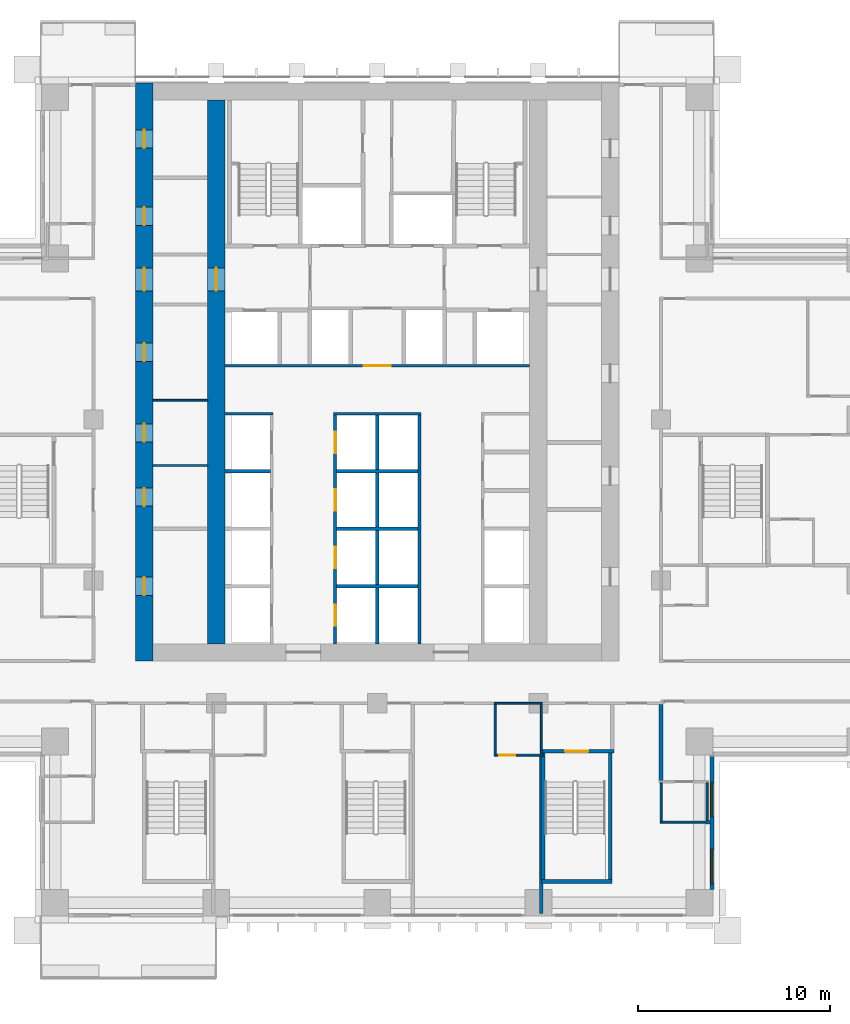
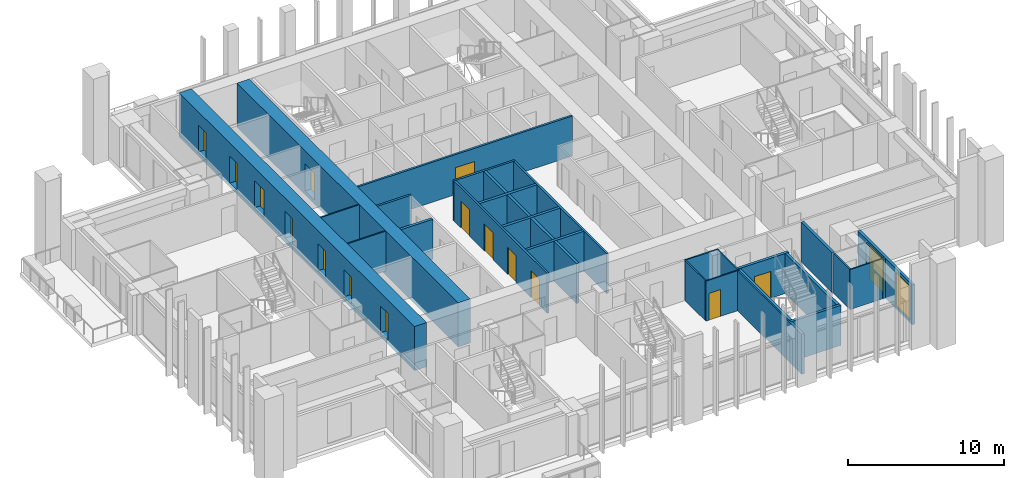
# One storey, part 8 of 17: 29 walls, 15 doors, 2 windows, 17 openings.
"""IFC4 building model written with IfcOpenShell, lengths in metres."""

from ifc_helpers import new_model, si_unit, direction, frame, frame_2d, origin, place, context, subcontext, project, spatial, rectangle, extrude, material, layer, layer_set, type_object, element, fill, save


model = new_model("IFC4")

# Units and contexts
model_context = context("Model", 3, precision=1e-05, world=origin(), true_north=direction((0.0, 1.0)))
body_context = subcontext(model_context, "Body", "Model", "MODEL_VIEW")
ifc_project = project(units=[si_unit("LENGTHUNIT", "METRE"), si_unit("AREAUNIT", "SQUARE_METRE"), si_unit("VOLUMEUNIT", "CUBIC_METRE"), si_unit("PLANEANGLEUNIT", "RADIAN"), si_unit("MASSUNIT", "GRAM", prefix="KILO")], contexts=[model_context])

# Site, building, storey
site_placement = place(None, origin())
site = spatial("IfcSite", under=ifc_project, at=site_placement, CompositionType="ELEMENT")
building_placement = place(site_placement, origin())
building = spatial("IfcBuilding", under=site, at=building_placement, Name="Vermilion Ogive Tower", CompositionType="ELEMENT")
storey_placement = place(building_placement, frame((0.0, 0.0, 69.0)))
storey = spatial("IfcBuildingStorey", under=building, at=storey_placement, Name="L16", CompositionType="ELEMENT", Elevation=69.0)

# Wall, openings, doors
ifc_material_1 = material(Name="Concrete B80", Category="concrete")
ifc_layer_1 = layer(ifc_material_1, 0.89990234375)
ifc_layer_set_1 = layer_set([ifc_layer_1], Name="Core wall 900 B80")
wall_type_1 = type_object("IfcWallType", Name="Core wall 900 B80", PredefinedType="SHEAR", material=ifc_layer_set_1)
wall_1_placement = place(storey_placement, frame((-12.14990234375, -8.39990234375, -0.320068359375), z_axis=(0.0, 0.0, 1.0), x_axis=(0.0, 1.0, 0.0)))
wall_1 = element("IfcWall", 1, at=wall_1_placement, inside=storey, type_object=wall_type_1, Name="L16-CORE-W", PredefinedType="SHEAR", context=body_context, shape_type="SweptSolid", body=[
    extrude(rectangle(XDim=30.14990234375, YDim=0.89990234375, at=frame_2d((15.074951171875, 0.0))), origin(), (0.0, 0.0, 1.0), 3.449951171875),
])
opening_1_placement = place(wall_1_placement, frame((3.425048828125, 0.0, 0.320068359375)))
opening_1 = element("IfcOpeningElement", 2, at=opening_1_placement, cuts=wall_1, Name="Opening DAD028", PredefinedType="OPENING", context=body_context, shape_type="SweptSolid", body=[
    extrude(rectangle(XDim=0.949951171875, YDim=2.10009765625, at=frame_2d((0.47509765625, 1.050048828125))), frame((0.0, 0.4599609375, 0.0), z_axis=(0.0, -1.0, 0.0), x_axis=(1.0, 0.0, 0.0)), (0.0, 0.0, 1.0), 0.919921875),
])
opening_2_placement = place(wall_1_placement, frame((8.074951171875, 0.0, 0.320068359375)))
opening_2 = element("IfcOpeningElement", 3, at=opening_2_placement, cuts=wall_1, Name="Opening DAD029", PredefinedType="OPENING", context=body_context, shape_type="SweptSolid", body=[
    extrude(rectangle(XDim=0.949951171875, YDim=2.10009765625, at=frame_2d((0.47509765625, 1.050048828125))), frame((0.0, 0.4599609375, 0.0), z_axis=(0.0, -1.0, 0.0), x_axis=(1.0, 0.0, 0.0)), (0.0, 0.0, 1.0), 0.919921875),
])
opening_3_placement = place(wall_1_placement, frame((11.425048828125, 0.0, 0.320068359375)))
opening_3 = element("IfcOpeningElement", 4, at=opening_3_placement, cuts=wall_1, Name="Opening DAD030", PredefinedType="OPENING", context=body_context, shape_type="SweptSolid", body=[
    extrude(rectangle(XDim=0.949951171875, YDim=2.10009765625, at=frame_2d((0.47509765625, 1.050048828125))), frame((0.0, 0.4599609375, 0.0), z_axis=(0.0, -1.0, 0.0), x_axis=(1.0, 0.0, 0.0)), (0.0, 0.0, 1.0), 0.919921875),
])
opening_4_placement = place(wall_1_placement, frame((15.625, 0.0, 0.320068359375)))
opening_4 = element("IfcOpeningElement", 5, at=opening_4_placement, cuts=wall_1, Name="Opening DAD031", PredefinedType="OPENING", context=body_context, shape_type="SweptSolid", body=[
    extrude(rectangle(XDim=0.949951171875, YDim=2.10009765625, at=frame_2d((0.47509765625, 1.050048828125))), frame((0.0, 0.4599609375, 0.0), z_axis=(0.0, -1.0, 0.0), x_axis=(1.0, 0.0, 0.0)), (0.0, 0.0, 1.0), 0.919921875),
])
opening_5_placement = place(wall_1_placement, frame((22.72509765625, 0.0, 0.320068359375)))
opening_5 = element("IfcOpeningElement", 6, at=opening_5_placement, cuts=wall_1, Name="Opening DAD032", PredefinedType="OPENING", context=body_context, shape_type="SweptSolid", body=[
    extrude(rectangle(XDim=0.949951171875, YDim=2.10009765625, at=frame_2d((0.47509765625, 1.050048828125))), frame((0.0, 0.4599609375, 0.0), z_axis=(0.0, -1.0, 0.0), x_axis=(1.0, 0.0, 0.0)), (0.0, 0.0, 1.0), 0.919921875),
])
opening_6_placement = place(wall_1_placement, frame((26.75, 0.0, 0.320068359375)))
opening_6 = element("IfcOpeningElement", 7, at=opening_6_placement, cuts=wall_1, Name="Opening DAD033", PredefinedType="OPENING", context=body_context, shape_type="SweptSolid", body=[
    extrude(rectangle(XDim=0.949951171875, YDim=2.10009765625, at=frame_2d((0.47509765625, 1.050048828125))), frame((0.0, 0.4599609375, 0.0), z_axis=(0.0, -1.0, 0.0), x_axis=(1.0, 0.0, 0.0)), (0.0, 0.0, 1.0), 0.919921875),
])
opening_7_placement = place(wall_1_placement, frame((19.300048828125, 0.0, 0.320068359375)))
opening_7 = element("IfcOpeningElement", 8, at=opening_7_placement, cuts=wall_1, Name="Opening DAM006", PredefinedType="OPENING", context=body_context, shape_type="SweptSolid", body=[
    extrude(rectangle(XDim=1.199951171875, YDim=2.10009765625, at=frame_2d((0.60009765625, 1.050048828125))), frame((0.0, 0.4599609375, 0.0), z_axis=(0.0, -1.0, 0.0), x_axis=(1.0, 0.0, 0.0)), (0.0, 0.0, 1.0), 0.919921875),
])
ifc_material_2 = material(Name="Timber door leaf", Category="wood")
door_type_1 = type_object("IfcDoorType", Name="Link door 1200 x 2100 FD60S", OperationType="SINGLE_SWING_LEFT", PredefinedType="DOOR", material=ifc_material_2)
door_1_placement = place(opening_7_placement, origin())
door_1 = element("IfcDoor", 9, at=door_1_placement, inside=storey, type_object=door_type_1, Name="L16-CKW-XL", OperationType="SINGLE_SWING_LEFT", OverallHeight=2.10009765625, OverallWidth=1.199951171875, PredefinedType="DOOR", context=body_context, shape_type="SweptSolid", body=[
    extrude(rectangle(XDim=1.199951171875, YDim=2.10009765625, at=frame_2d((0.60009765625, 1.050048828125))), frame((0.0, 0.02490234375, 0.0), z_axis=(0.0, -1.0, 0.0), x_axis=(1.0, 0.0, 0.0)), (0.0, 0.0, 1.0), 0.050048828125),
])
fill(opening_7, door_1)
ifc_material_3 = material(Name="Timber door leaf", Category="wood")
door_type_2 = type_object("IfcDoorType", Name="Service door 950 x 2100 FD60", OperationType="SINGLE_SWING_LEFT", PredefinedType="DOOR", material=ifc_material_3)
door_2_placement = place(opening_1_placement, origin())
door_2 = element("IfcDoor", 10, at=door_2_placement, inside=storey, type_object=door_type_2, Name="L16-CKW-XR0", OperationType="SINGLE_SWING_LEFT", OverallHeight=2.10009765625, OverallWidth=0.949951171875, PredefinedType="DOOR", context=body_context, shape_type="SweptSolid", body=[
    extrude(rectangle(XDim=0.949951171875, YDim=2.10009765625, at=frame_2d((0.47509765625, 1.050048828125))), frame((0.0, 0.02490234375, 0.0), z_axis=(0.0, -1.0, 0.0), x_axis=(1.0, 0.0, 0.0)), (0.0, 0.0, 1.0), 0.050048828125),
])
fill(opening_1, door_2)
door_3_placement = place(opening_2_placement, origin())
door_3 = element("IfcDoor", 11, at=door_3_placement, inside=storey, type_object=door_type_2, Name="L16-CKW-XR1", OperationType="SINGLE_SWING_LEFT", OverallHeight=2.10009765625, OverallWidth=0.949951171875, PredefinedType="DOOR", context=body_context, shape_type="SweptSolid", body=[
    extrude(rectangle(XDim=0.949951171875, YDim=2.10009765625, at=frame_2d((0.47509765625, 1.050048828125))), frame((0.0, 0.02490234375, 0.0), z_axis=(0.0, -1.0, 0.0), x_axis=(1.0, 0.0, 0.0)), (0.0, 0.0, 1.0), 0.050048828125),
])
fill(opening_2, door_3)
door_4_placement = place(opening_3_placement, origin())
door_4 = element("IfcDoor", 12, at=door_4_placement, inside=storey, type_object=door_type_2, Name="L16-CKW-XR2", OperationType="SINGLE_SWING_LEFT", OverallHeight=2.10009765625, OverallWidth=0.949951171875, PredefinedType="DOOR", context=body_context, shape_type="SweptSolid", body=[
    extrude(rectangle(XDim=0.949951171875, YDim=2.10009765625, at=frame_2d((0.47509765625, 1.050048828125))), frame((0.0, 0.02490234375, 0.0), z_axis=(0.0, -1.0, 0.0), x_axis=(1.0, 0.0, 0.0)), (0.0, 0.0, 1.0), 0.050048828125),
])
fill(opening_3, door_4)
door_5_placement = place(opening_4_placement, origin())
door_5 = element("IfcDoor", 13, at=door_5_placement, inside=storey, type_object=door_type_2, Name="L16-CKW-XR3", OperationType="SINGLE_SWING_LEFT", OverallHeight=2.10009765625, OverallWidth=0.949951171875, PredefinedType="DOOR", context=body_context, shape_type="SweptSolid", body=[
    extrude(rectangle(XDim=0.949951171875, YDim=2.10009765625, at=frame_2d((0.47509765625, 1.050048828125))), frame((0.0, 0.02490234375, 0.0), z_axis=(0.0, -1.0, 0.0), x_axis=(1.0, 0.0, 0.0)), (0.0, 0.0, 1.0), 0.050048828125),
])
fill(opening_4, door_5)
door_6_placement = place(opening_5_placement, origin())
door_6 = element("IfcDoor", 14, at=door_6_placement, inside=storey, type_object=door_type_2, Name="L16-CKW-XR4", OperationType="SINGLE_SWING_LEFT", OverallHeight=2.10009765625, OverallWidth=0.949951171875, PredefinedType="DOOR", context=body_context, shape_type="SweptSolid", body=[
    extrude(rectangle(XDim=0.949951171875, YDim=2.10009765625, at=frame_2d((0.47509765625, 1.050048828125))), frame((0.0, 0.02490234375, 0.0), z_axis=(0.0, -1.0, 0.0), x_axis=(1.0, 0.0, 0.0)), (0.0, 0.0, 1.0), 0.050048828125),
])
fill(opening_5, door_6)
door_7_placement = place(opening_6_placement, origin())
door_7 = element("IfcDoor", 15, at=door_7_placement, inside=storey, type_object=door_type_2, Name="L16-CKW-XR5", OperationType="SINGLE_SWING_LEFT", OverallHeight=2.10009765625, OverallWidth=0.949951171875, PredefinedType="DOOR", context=body_context, shape_type="SweptSolid", body=[
    extrude(rectangle(XDim=0.949951171875, YDim=2.10009765625, at=frame_2d((0.47509765625, 1.050048828125))), frame((0.0, 0.02490234375, 0.0), z_axis=(0.0, -1.0, 0.0), x_axis=(1.0, 0.0, 0.0)), (0.0, 0.0, 1.0), 0.050048828125),
])
fill(opening_6, door_7)

# Wall, opening, door
wall_2_placement = place(storey_placement, frame((-8.39990234375, -7.5, -0.320068359375), z_axis=(0.0, 0.0, 1.0), x_axis=(0.0, 1.0, 0.0)))
wall_2 = element("IfcWall", 16, at=wall_2_placement, inside=storey, type_object=wall_type_1, Name="L16-CORE-WEB1", PredefinedType="SHEAR", context=body_context, shape_type="SweptSolid", body=[
    extrude(rectangle(XDim=28.35009765625, YDim=0.89990234375, at=frame_2d((14.175048828125, 0.0))), origin(), (0.0, 0.0, 1.0), 3.449951171875),
])
opening_8_placement = place(wall_2_placement, frame((18.39990234375, 0.0, 0.320068359375)))
opening_8 = element("IfcOpeningElement", 17, at=opening_8_placement, cuts=wall_2, Name="Opening DAP006", PredefinedType="OPENING", context=body_context, shape_type="SweptSolid", body=[
    extrude(rectangle(XDim=1.199951171875, YDim=2.10009765625, at=frame_2d((0.60009765625, 1.050048828125))), frame((0.0, 0.4599609375, 0.0), z_axis=(0.0, -1.0, 0.0), x_axis=(1.0, 0.0, 0.0)), (0.0, 0.0, 1.0), 0.919921875),
])
door_8_placement = place(opening_8_placement, origin())
door_8 = element("IfcDoor", 18, at=door_8_placement, inside=storey, type_object=door_type_1, Name="L16-CKW-XW", OperationType="SINGLE_SWING_LEFT", OverallHeight=2.10009765625, OverallWidth=1.199951171875, PredefinedType="DOOR", context=body_context, shape_type="SweptSolid", body=[
    extrude(rectangle(XDim=1.199951171875, YDim=2.10009765625, at=frame_2d((0.60009765625, 1.050048828125))), frame((0.0, 0.02490234375, 0.0), z_axis=(0.0, -1.0, 0.0), x_axis=(1.0, 0.0, 0.0)), (0.0, 0.0, 1.0), 0.050048828125),
])
fill(opening_8, door_8)

# Wall
ifc_material_4 = material(Name="Gypsum board partition on steel studs", Category="steel")
ifc_layer_2 = layer(ifc_material_4, 0.10009765625)
ifc_layer_set_2 = layer_set([ifc_layer_2], Name="Partition 100 bath")
wall_type_2 = type_object("IfcWallType", Name="Partition 100 bath", PredefinedType="PARTITIONING", material=ifc_layer_set_2)
wall_3_placement = place(storey_placement, frame((14.751953125, -16.800048828125, 0.0), z_axis=(0.0, 0.0, 1.0), x_axis=(1.0, 0.0, 0.0)))
element("IfcWall", 19, at=wall_3_placement, inside=storey, type_object=wall_type_2, Name="L16-W-W005", PredefinedType="PARTITIONING", context=body_context, shape_type="SweptSolid", body=[
    extrude(rectangle(XDim=2.498046875, YDim=0.10009765625, at=frame_2d((1.2490234375, 0.0))), origin(), (0.0, 0.0, 1.0), 3.1298828125),
])

# Wall, opening, door
wall_4_placement = place(storey_placement, frame((6.10009765625, -13.300048828125, 0.0), z_axis=(0.0, 0.0, 1.0), x_axis=(1.0, 0.0, 0.0)))
wall_4 = element("IfcWall", 20, at=wall_4_placement, inside=storey, type_object=wall_type_2, Name="L16-W-W010", PredefinedType="PARTITIONING", context=body_context, shape_type="SweptSolid", body=[
    extrude(rectangle(XDim=2.5498046875, YDim=0.10009765625, at=frame_2d((1.27490234375, 0.0))), origin(), (0.0, 0.0, 1.0), 3.1298828125),
])
opening_9_placement = place(wall_4_placement, frame((0.25, 0.0, 0.0)))
opening_9 = element("IfcOpeningElement", 21, at=opening_9_placement, cuts=wall_4, Name="Opening D1G6014", PredefinedType="OPENING", context=body_context, shape_type="SweptSolid", body=[
    extrude(rectangle(XDim=0.85009765625, YDim=2.10009765625, at=frame_2d((0.425048828125, 1.050048828125))), frame((0.0, 0.06005859375, 0.0), z_axis=(0.0, -1.0, 0.0), x_axis=(1.0, 0.0, 0.0)), (0.0, 0.0, 1.0), 0.1201171875),
])
ifc_material_5 = material(Name="Timber door leaf", Category="wood")
door_type_3 = type_object("IfcDoorType", Name="Bath door 850 x 2100 FD30", OperationType="SINGLE_SWING_LEFT", PredefinedType="DOOR", material=ifc_material_5)
door_9_placement = place(opening_9_placement, origin())
door_9 = element("IfcDoor", 22, at=door_9_placement, inside=storey, type_object=door_type_3, Name="L16-D-D014", OperationType="SINGLE_SWING_LEFT", OverallHeight=2.10009765625, OverallWidth=0.85009765625, PredefinedType="DOOR", context=body_context, shape_type="SweptSolid", body=[
    extrude(rectangle(XDim=0.85009765625, YDim=2.10009765625, at=frame_2d((0.425048828125, 1.050048828125))), frame((0.0, 0.02490234375, 0.0), z_axis=(0.0, -1.0, 0.0), x_axis=(1.0, 0.0, 0.0)), (0.0, 0.0, 1.0), 0.050048828125),
])
fill(opening_9, door_9)

# Walls
wall_5_placement = place(storey_placement, frame((6.10009765625, -10.60009765625, 0.0), z_axis=(0.0, 0.0, 1.0), x_axis=(1.0, 0.0, 0.0)))
element("IfcWall", 23, at=wall_5_placement, inside=storey, type_object=wall_type_2, Name="L16-W-W017", PredefinedType="PARTITIONING", context=body_context, shape_type="SweptSolid", body=[
    extrude(rectangle(XDim=2.5, YDim=0.10009765625, at=frame_2d((1.25, 0.0))), origin(), (0.0, 0.0, 1.0), 3.1298828125),
])
for number, where, z_axis, x_axis, name in (
    (24, (6.14990234375, -13.25, 0.0), (0.0, 0.0, 1.0), (0.0, 1.0, 0.0), "L16-W-W075"),
    (25, (8.550048828125, -13.25, 0.0), (0.0, 0.0, 1.0), (0.0, 1.0, 0.0), "L16-W-W077"),
):
    element("IfcWall", number, at=place(storey_placement, frame(where, z_axis=z_axis, x_axis=x_axis)), inside=storey, type_object=wall_type_2, Name=name, PredefinedType="PARTITIONING", context=body_context, shape_type="SweptSolid", body=[
        extrude(rectangle(XDim=2.574951171875, YDim=0.10009765625, at=frame_2d((1.28759765625, 0.0))), origin(), (0.0, 0.0, 1.0), 3.1298828125),
    ])
wall_6_placement = place(storey_placement, frame((14.800048828125, -16.748046875, 0.0), z_axis=(0.0, 0.0, 1.0), x_axis=(0.0, 1.0, 0.0)))
element("IfcWall", 26, at=wall_6_placement, inside=storey, type_object=wall_type_2, Name="L16-W-W081", PredefinedType="PARTITIONING", context=body_context, shape_type="SweptSolid", body=[
    extrude(rectangle(XDim=1.998046875, YDim=0.10009765625, at=frame_2d((0.9990234375, 0.0))), origin(), (0.0, 0.0, 1.0), 3.1298828125),
])
wall_7_placement = place(storey_placement, frame((17.199951171875, -16.699951171875, 0.0), z_axis=(0.0, 0.0, 1.0), x_axis=(0.0, 1.0, 0.0)))
element("IfcWall", 27, at=wall_7_placement, inside=storey, type_object=wall_type_2, Name="L16-W-W089", PredefinedType="PARTITIONING", context=body_context, shape_type="SweptSolid", body=[
    extrude(rectangle(XDim=1.949951171875, YDim=0.10009765625, at=frame_2d((0.97509765625, 0.0))), origin(), (0.0, 0.0, 1.0), 3.1298828125),
])
for number, where, z_axis, x_axis, name in (
    (28, (-11.698974609375, 1.800048828125, 0.0), (0.0, 0.0, 1.0), (1.0, 0.0, 0.0), "L16-CKW-W-W002"),
    (29, (-11.698974609375, 5.199951171875, 0.0), (0.0, 0.0, 1.0), (1.0, 0.0, 0.0), "L16-CKW-W-W003"),
):
    element("IfcWall", number, at=place(storey_placement, frame(where, z_axis=z_axis, x_axis=x_axis)), inside=storey, type_object=wall_type_2, Name=name, PredefinedType="PARTITIONING", context=body_context, shape_type="SweptSolid", body=[
        extrude(rectangle(XDim=2.847900390625, YDim=0.10009765625, at=frame_2d((1.423828125, 0.0))), origin(), (0.0, 0.0, 1.0), 3.1298828125),
    ])
ifc_material_6 = material(Name="Gypsum board partition on steel studs", Category="steel")
ifc_layer_3 = layer(ifc_material_6, 0.14990234375)
ifc_layer_set_3 = layer_set([ifc_layer_3], Name="Partition 150 corridor")
wall_type_3 = type_object("IfcWallType", Name="Partition 150 corridor", PredefinedType="PARTITIONING", material=ifc_layer_set_3)
wall_8_placement = place(storey_placement, frame((-7.948974609375, 4.5, 0.0), z_axis=(0.0, 0.0, 1.0), x_axis=(1.0, 0.0, 0.0)))
element("IfcWall", 30, at=wall_8_placement, inside=storey, type_object=wall_type_3, Name="L16-CK-W-W011", PredefinedType="PARTITIONING", context=body_context, shape_type="SweptSolid", body=[
    extrude(rectangle(XDim=2.52392578125, YDim=0.14990234375, at=frame_2d((1.261962890625, 0.0))), origin(), (0.0, 0.0, 1.0), 3.1298828125),
])
wall_9_placement = place(storey_placement, frame((-2.27490234375, 4.5, 0.0), z_axis=(0.0, 0.0, 1.0), x_axis=(1.0, 0.0, 0.0)))
element("IfcWall", 31, at=wall_9_placement, inside=storey, type_object=wall_type_3, Name="L16-CK-W-W012", PredefinedType="PARTITIONING", context=body_context, shape_type="SweptSolid", body=[
    extrude(rectangle(XDim=4.5498046875, YDim=0.14990234375, at=frame_2d((2.27490234375, 0.0))), origin(), (0.0, 0.0, 1.0), 3.1298828125),
])

# Wall, opening, door
wall_10_placement = place(storey_placement, frame((-7.948974609375, 7.0, 0.0), z_axis=(0.0, 0.0, 1.0), x_axis=(1.0, 0.0, 0.0)))
wall_10 = element("IfcWall", 32, at=wall_10_placement, inside=storey, type_object=wall_type_3, Name="L16-CK-W-W014", PredefinedType="PARTITIONING", context=body_context, shape_type="SweptSolid", body=[
    extrude(rectangle(XDim=15.89794921875, YDim=0.14990234375, at=frame_2d((7.948974609375, 0.0))), origin(), (0.0, 0.0, 1.0), 3.1298828125),
])
opening_10_placement = place(wall_10_placement, frame((7.2490234375, 0.0, 0.0)))
opening_10 = element("IfcOpeningElement", 33, at=opening_10_placement, cuts=wall_10, Name="Opening DAA116", PredefinedType="OPENING", context=body_context, shape_type="SweptSolid", body=[
    extrude(rectangle(XDim=1.39990234375, YDim=2.10009765625, at=frame_2d((0.699951171875, 1.050048828125))), frame((0.0, 0.0849609375, 0.0), z_axis=(0.0, -1.0, 0.0), x_axis=(1.0, 0.0, 0.0)), (0.0, 0.0, 1.0), 0.169921875),
])
ifc_material_7 = material(Name="Timber door leaf", Category="wood")
door_type_4 = type_object("IfcDoorType", Name="Lobby door 1400 x 2100 FD60S", OperationType="SINGLE_SWING_LEFT", PredefinedType="DOOR", material=ifc_material_7)
door_10_placement = place(opening_10_placement, origin())
door_10 = element("IfcDoor", 34, at=door_10_placement, inside=storey, type_object=door_type_4, Name="L16-CK-D-D016", OperationType="SINGLE_SWING_RIGHT", OverallHeight=2.10009765625, OverallWidth=1.39990234375, PredefinedType="DOOR", context=body_context, shape_type="SweptSolid", body=[
    extrude(rectangle(XDim=1.39990234375, YDim=2.10009765625, at=frame_2d((0.699951171875, 1.050048828125))), frame((0.0, 0.02490234375, 0.0), z_axis=(0.0, -1.0, 0.0), x_axis=(1.0, 0.0, 0.0)), (0.0, 0.0, 1.0), 0.050048828125),
])
fill(opening_10, door_10)

# Wall, openings, doors
wall_11_placement = place(storey_placement, frame((-2.199951171875, -7.4990234375, 0.0), z_axis=(0.0, 0.0, 1.0), x_axis=(0.0, 1.0, 0.0)))
wall_11 = element("IfcWall", 35, at=wall_11_placement, inside=storey, type_object=wall_type_3, Name="L16-CK-W-W028", PredefinedType="PARTITIONING", context=body_context, shape_type="SweptSolid", body=[
    extrude(rectangle(XDim=11.924072265625, YDim=0.14990234375, at=frame_2d((5.9619140625, 0.0))), origin(), (0.0, 0.0, 1.0), 3.1298828125),
])
opening_11_placement = place(wall_11_placement, frame((0.948974609375, 0.0, 0.0)))
opening_11 = element("IfcOpeningElement", 36, at=opening_11_placement, cuts=wall_11, Name="Opening DAA132", PredefinedType="OPENING", context=body_context, shape_type="SweptSolid", body=[
    extrude(rectangle(XDim=1.10009765625, YDim=2.10009765625, at=frame_2d((0.550048828125, 1.050048828125))), frame((0.0, 0.0849609375, 0.0), z_axis=(0.0, -1.0, 0.0), x_axis=(1.0, 0.0, 0.0)), (0.0, 0.0, 1.0), 0.169921875),
])
opening_12_placement = place(wall_11_placement, frame((3.948974609375, 0.0, 0.0)))
opening_12 = element("IfcOpeningElement", 37, at=opening_12_placement, cuts=wall_11, Name="Opening DAA133", PredefinedType="OPENING", context=body_context, shape_type="SweptSolid", body=[
    extrude(rectangle(XDim=1.10009765625, YDim=2.10009765625, at=frame_2d((0.550048828125, 1.050048828125))), frame((0.0, 0.0849609375, 0.0), z_axis=(0.0, -1.0, 0.0), x_axis=(1.0, 0.0, 0.0)), (0.0, 0.0, 1.0), 0.169921875),
])
opening_13_placement = place(wall_11_placement, frame((6.948974609375, 0.0, 0.0)))
opening_13 = element("IfcOpeningElement", 38, at=opening_13_placement, cuts=wall_11, Name="Opening DAA134", PredefinedType="OPENING", context=body_context, shape_type="SweptSolid", body=[
    extrude(rectangle(XDim=1.10009765625, YDim=2.10009765625, at=frame_2d((0.550048828125, 1.050048828125))), frame((0.0, 0.0849609375, 0.0), z_axis=(0.0, -1.0, 0.0), x_axis=(1.0, 0.0, 0.0)), (0.0, 0.0, 1.0), 0.169921875),
])
opening_14_placement = place(wall_11_placement, frame((9.948974609375, 0.0, 0.0)))
opening_14 = element("IfcOpeningElement", 39, at=opening_14_placement, cuts=wall_11, Name="Opening DAA135", PredefinedType="OPENING", context=body_context, shape_type="SweptSolid", body=[
    extrude(rectangle(XDim=1.10009765625, YDim=2.10009765625, at=frame_2d((0.550048828125, 1.050048828125))), frame((0.0, 0.0849609375, 0.0), z_axis=(0.0, -1.0, 0.0), x_axis=(1.0, 0.0, 0.0)), (0.0, 0.0, 1.0), 0.169921875),
])
ifc_material_8 = material(Name="Stainless steel", Category="steel")
door_type_5 = type_object("IfcDoorType", Name="Lift landing door 1100 x 2100", OperationType="SLIDING_TO_LEFT", PredefinedType="DOOR", material=ifc_material_8)
door_11_placement = place(opening_11_placement, origin())
door_11 = element("IfcDoor", 40, at=door_11_placement, inside=storey, type_object=door_type_5, Name="L16-CK-D-D005", OperationType="SLIDING_TO_RIGHT", OverallHeight=2.10009765625, OverallWidth=1.10009765625, PredefinedType="DOOR", context=body_context, shape_type="SweptSolid", body=[
    extrude(rectangle(XDim=1.10009765625, YDim=2.10009765625, at=frame_2d((0.550048828125, 1.050048828125))), frame((0.0, 0.02490234375, 0.0), z_axis=(0.0, -1.0, 0.0), x_axis=(1.0, 0.0, 0.0)), (0.0, 0.0, 1.0), 0.050048828125),
])
fill(opening_11, door_11)
door_12_placement = place(opening_12_placement, origin())
door_12 = element("IfcDoor", 41, at=door_12_placement, inside=storey, type_object=door_type_5, Name="L16-CK-D-D006", OperationType="SLIDING_TO_RIGHT", OverallHeight=2.10009765625, OverallWidth=1.10009765625, PredefinedType="DOOR", context=body_context, shape_type="SweptSolid", body=[
    extrude(rectangle(XDim=1.10009765625, YDim=2.10009765625, at=frame_2d((0.550048828125, 1.050048828125))), frame((0.0, 0.02490234375, 0.0), z_axis=(0.0, -1.0, 0.0), x_axis=(1.0, 0.0, 0.0)), (0.0, 0.0, 1.0), 0.050048828125),
])
fill(opening_12, door_12)
door_13_placement = place(opening_13_placement, origin())
door_13 = element("IfcDoor", 42, at=door_13_placement, inside=storey, type_object=door_type_5, Name="L16-CK-D-D007", OperationType="SLIDING_TO_RIGHT", OverallHeight=2.10009765625, OverallWidth=1.10009765625, PredefinedType="DOOR", context=body_context, shape_type="SweptSolid", body=[
    extrude(rectangle(XDim=1.10009765625, YDim=2.10009765625, at=frame_2d((0.550048828125, 1.050048828125))), frame((0.0, 0.02490234375, 0.0), z_axis=(0.0, -1.0, 0.0), x_axis=(1.0, 0.0, 0.0)), (0.0, 0.0, 1.0), 0.050048828125),
])
fill(opening_13, door_13)
door_14_placement = place(opening_14_placement, origin())
door_14 = element("IfcDoor", 43, at=door_14_placement, inside=storey, type_object=door_type_5, Name="L16-CK-D-D008", OperationType="SLIDING_TO_RIGHT", OverallHeight=2.10009765625, OverallWidth=1.10009765625, PredefinedType="DOOR", context=body_context, shape_type="SweptSolid", body=[
    extrude(rectangle(XDim=1.10009765625, YDim=2.10009765625, at=frame_2d((0.550048828125, 1.050048828125))), frame((0.0, 0.02490234375, 0.0), z_axis=(0.0, -1.0, 0.0), x_axis=(1.0, 0.0, 0.0)), (0.0, 0.0, 1.0), 0.050048828125),
])
fill(opening_14, door_14)

# Walls
wall_12_placement = place(storey_placement, frame((2.199951171875, -7.4990234375, 0.0), z_axis=(0.0, 0.0, 1.0), x_axis=(0.0, 1.0, 0.0)))
element("IfcWall", 44, at=wall_12_placement, inside=storey, type_object=wall_type_3, Name="L16-CK-W-W035", PredefinedType="PARTITIONING", context=body_context, shape_type="SweptSolid", body=[
    extrude(rectangle(XDim=11.924072265625, YDim=0.14990234375, at=frame_2d((5.9619140625, 0.0))), origin(), (0.0, 0.0, 1.0), 3.1298828125),
])
ifc_material_9 = material(Name="Gypsum board partition on steel studs", Category="steel")
ifc_layer_4 = layer(ifc_material_9, 0.199951171875)
ifc_layer_set_4 = layer_set([ifc_layer_4], Name="Partition 200 party")
wall_type_4 = type_object("IfcWallType", Name="Partition 200 party", PredefinedType="PARTITIONING", material=ifc_layer_set_4)
wall_13_placement = place(storey_placement, frame((17.14990234375, -16.800048828125, 0.0), z_axis=(0.0, 0.0, 1.0), x_axis=(1.0, 0.0, 0.0)))
element("IfcWall", 45, at=wall_13_placement, inside=storey, type_object=wall_type_4, Name="L16-W-W006", PredefinedType="PARTITIONING", context=body_context, shape_type="SweptSolid", body=[
    extrude(rectangle(XDim=0.2001953125, YDim=0.199951171875, at=frame_2d((0.10009765625, 0.0))), origin(), (0.0, 0.0, 1.0), 3.1298828125),
])
wall_14_placement = place(storey_placement, frame((14.800048828125, -14.64990234375, 0.0), z_axis=(0.0, 0.0, 1.0), x_axis=(0.0, 1.0, 0.0)))
element("IfcWall", 46, at=wall_14_placement, inside=storey, type_object=wall_type_4, Name="L16-W-W082", PredefinedType="PARTITIONING", context=body_context, shape_type="SweptSolid", body=[
    extrude(rectangle(XDim=3.974853515625, YDim=0.199951171875, at=frame_2d((1.9873046875, 0.0))), origin(), (0.0, 0.0, 1.0), 3.1298828125),
])
for number, where, z_axis, x_axis, name in (
    (47, (-2.125, -4.5, 0.0), (0.0, 0.0, 1.0), (1.0, 0.0, 0.0), "L16-CK-W-W002"),
    (48, (-2.125, -1.5, 0.0), (0.0, 0.0, 1.0), (1.0, 0.0, 0.0), "L16-CK-W-W005"),
):
    element("IfcWall", number, at=place(storey_placement, frame(where, z_axis=z_axis, x_axis=x_axis)), inside=storey, type_object=wall_type_4, Name=name, PredefinedType="PARTITIONING", context=body_context, shape_type="SweptSolid", body=[
        extrude(rectangle(XDim=4.25, YDim=0.199951171875, at=frame_2d((2.125, 0.0))), origin(), (0.0, 0.0, 1.0), 3.1298828125),
    ])
wall_15_placement = place(storey_placement, frame((-7.948974609375, 1.5, 0.0), z_axis=(0.0, 0.0, 1.0), x_axis=(1.0, 0.0, 0.0)))
element("IfcWall", 49, at=wall_15_placement, inside=storey, type_object=wall_type_4, Name="L16-CK-W-W008", PredefinedType="PARTITIONING", context=body_context, shape_type="SweptSolid", body=[
    extrude(rectangle(XDim=2.3740234375, YDim=0.199951171875, at=frame_2d((1.18701171875, 0.0))), origin(), (0.0, 0.0, 1.0), 3.1298828125),
])
wall_16_placement = place(storey_placement, frame((-2.125, 1.5, 0.0), z_axis=(0.0, 0.0, 1.0), x_axis=(1.0, 0.0, 0.0)))
element("IfcWall", 50, at=wall_16_placement, inside=storey, type_object=wall_type_4, Name="L16-CK-W-W009", PredefinedType="PARTITIONING", context=body_context, shape_type="SweptSolid", body=[
    extrude(rectangle(XDim=4.25, YDim=0.199951171875, at=frame_2d((2.125, 0.0))), origin(), (0.0, 0.0, 1.0), 3.1298828125),
])
wall_17_placement = place(storey_placement, frame((0.0, -7.4990234375, 0.0), z_axis=(0.0, 0.0, 1.0), x_axis=(0.0, 1.0, 0.0)))
element("IfcWall", 51, at=wall_17_placement, inside=storey, type_object=wall_type_4, Name="L16-CK-W-W031", PredefinedType="PARTITIONING", context=body_context, shape_type="SweptSolid", body=[
    extrude(rectangle(XDim=11.924072265625, YDim=0.199951171875, at=frame_2d((5.9619140625, 0.0))), origin(), (0.0, 0.0, 1.0), 3.1298828125),
])
ifc_material_10 = material(Name="Concrete B60", Category="concrete")
ifc_layer_5 = layer(ifc_material_10, 0.199951171875)
ifc_layer_set_5 = layer_set([ifc_layer_5], Name="Stair shaft wall 200 Concrete B60")
wall_type_5 = type_object("IfcWallType", Name="Stair shaft wall 200 Concrete B60", PredefinedType="SOLIDWALL", material=ifc_layer_set_5)
wall_18_placement = place(storey_placement, frame((8.552001953125, -19.89990234375, 0.0), z_axis=(0.0, 0.0, 1.0), x_axis=(1.0, 0.0, 0.0)))
element("IfcWall", 52, at=wall_18_placement, inside=storey, type_object=wall_type_5, Name="L16-W-W003", PredefinedType="SOLIDWALL", context=body_context, shape_type="SweptSolid", body=[
    extrude(rectangle(XDim=3.696044921875, YDim=0.199951171875, at=frame_2d((1.84814453125, 0.0))), origin(), (0.0, 0.0, 1.0), 3.1298828125),
])

# Wall, opening, door
wall_19_placement = place(storey_placement, frame((8.60205078125, -13.10009765625, 0.0), z_axis=(0.0, 0.0, 1.0), x_axis=(1.0, 0.0, 0.0)))
wall_19 = element("IfcWall", 53, at=wall_19_placement, inside=storey, type_object=wall_type_5, Name="L16-W-W013", PredefinedType="SOLIDWALL", context=body_context, shape_type="SweptSolid", body=[
    extrude(rectangle(XDim=3.745849609375, YDim=0.199951171875, at=frame_2d((1.873046875, 0.0))), origin(), (0.0, 0.0, 1.0), 3.1298828125),
])
opening_15_placement = place(wall_19_placement, frame((1.197998046875, 0.0, 0.0)))
opening_15 = element("IfcOpeningElement", 54, at=opening_15_placement, cuts=wall_19, Name="Opening D1G6030", PredefinedType="OPENING", context=body_context, shape_type="SweptSolid", body=[
    extrude(rectangle(XDim=1.199951171875, YDim=2.10009765625, at=frame_2d((0.60009765625, 1.050048828125))), frame((0.0, 0.10986328125, 0.0), z_axis=(0.0, -1.0, 0.0), x_axis=(1.0, 0.0, 0.0)), (0.0, 0.0, 1.0), 0.219970703125),
])
ifc_material_11 = material(Name="Timber door leaf", Category="wood")
door_type_6 = type_object("IfcDoorType", Name="Stair door 1200 x 2100 FD60S", OperationType="SINGLE_SWING_LEFT", PredefinedType="DOOR", material=ifc_material_11)
door_15_placement = place(opening_15_placement, origin())
door_15 = element("IfcDoor", 55, at=door_15_placement, inside=storey, type_object=door_type_6, Name="L16-D-D030", OperationType="SINGLE_SWING_RIGHT", OverallHeight=2.10009765625, OverallWidth=1.199951171875, PredefinedType="DOOR", context=body_context, shape_type="SweptSolid", body=[
    extrude(rectangle(XDim=1.199951171875, YDim=2.10009765625, at=frame_2d((0.60009765625, 1.050048828125))), frame((0.0, 0.02490234375, 0.0), z_axis=(0.0, -1.0, 0.0), x_axis=(1.0, 0.0, 0.0)), (0.0, 0.0, 1.0), 0.050048828125),
])
fill(opening_15, door_15)

# Walls
for number, where, z_axis, x_axis, name in (
    (56, (8.64990234375, -19.798095703125, 0.0), (0.0, 0.0, 1.0), (0.0, 1.0, 0.0), "L16-W-W078"),
    (57, (12.14990234375, -19.798095703125, 0.0), (0.0, 0.0, 1.0), (0.0, 1.0, 0.0), "L16-W-W079"),
):
    element("IfcWall", number, at=place(storey_placement, frame(where, z_axis=z_axis, x_axis=x_axis)), inside=storey, type_object=wall_type_5, Name=name, PredefinedType="SOLIDWALL", context=body_context, shape_type="SweptSolid", body=[
        extrude(rectangle(XDim=6.59619140625, YDim=0.199951171875, at=frame_2d((3.298095703125, 0.0))), origin(), (0.0, 0.0, 1.0), 3.1298828125),
    ])
wall_20_placement = place(storey_placement, frame((8.550048828125, -21.550048828125, 0.0), z_axis=(0.0, 0.0, 1.0), x_axis=(0.0, 1.0, 0.0)))
element("IfcWall", 58, at=wall_20_placement, inside=storey, type_object=wall_type_5, Name="L16-W-W076-A", PredefinedType="SOLIDWALL", context=body_context, shape_type="SweptSolid", body=[
    extrude(rectangle(XDim=8.199951171875, YDim=0.199951171875, at=frame_2d((4.10009765625, 0.0))), origin(), (0.0, 0.0, 1.0), 3.1298828125),
])

# Wall, openings, windows
ifc_material_12 = material(Name="Aluminium window wall framing", Category="aluminium")
ifc_layer_6 = layer(ifc_material_12, 0.199951171875)
ifc_layer_set_6 = layer_set([ifc_layer_6], Name="Window wall")
wall_type_6 = type_object("IfcWallType", Name="Window wall", PredefinedType="STANDARD", material=ifc_layer_set_6)
wall_21_placement = place(storey_placement, frame((17.449951171875, -20.300048828125, 0.0), z_axis=(0.0, 0.0, 1.0), x_axis=(0.0, 1.0, 0.0)))
wall_21 = element("IfcWall", 59, at=wall_21_placement, inside=storey, type_object=wall_type_6, Name="Window wall X11", PredefinedType="STANDARD", context=body_context, shape_type="SweptSolid", body=[
    extrude(rectangle(XDim=6.949951171875, YDim=0.199951171875, at=frame_2d((3.47509765625, 0.0))), origin(), (0.0, 0.0, 1.0), 3.1298828125),
])
opening_16_placement = place(wall_21_placement, frame((0.300048828125, 0.0, 0.199951171875)))
opening_16 = element("IfcOpeningElement", 60, at=opening_16_placement, cuts=wall_21, Name="Opening W1-X195", PredefinedType="OPENING", context=body_context, shape_type="SweptSolid", body=[
    extrude(rectangle(XDim=1.800048828125, YDim=2.64990234375, at=frame_2d((0.89990234375, 1.324951171875))), frame((0.0, 0.10986328125, 0.0), z_axis=(0.0, -1.0, 0.0), x_axis=(1.0, 0.0, 0.0)), (0.0, 0.0, 1.0), 0.219970703125),
])
opening_17_placement = place(wall_21_placement, frame((3.77490234375, 0.0, 0.199951171875)))
opening_17 = element("IfcOpeningElement", 61, at=opening_17_placement, cuts=wall_21, Name="Opening W1-X196", PredefinedType="OPENING", context=body_context, shape_type="SweptSolid", body=[
    extrude(rectangle(XDim=1.800048828125, YDim=2.64990234375, at=frame_2d((0.89990234375, 1.324951171875))), frame((0.0, 0.10986328125, 0.0), z_axis=(0.0, -1.0, 0.0), x_axis=(1.0, 0.0, 0.0)), (0.0, 0.0, 1.0), 0.219970703125),
])
ifc_material_13 = material(Name="Aluminium framed double glazing", Category="aluminium")
window_type = type_object("IfcWindowType", Name="Guest window W1", PartitioningType="SINGLE_PANEL", PredefinedType="WINDOW", material=ifc_material_13)
window_1_placement = place(opening_16_placement, origin())
window_1 = element("IfcWindow", 62, at=window_1_placement, inside=storey, type_object=window_type, Name="Window X195", OverallHeight=2.64990234375, OverallWidth=1.800048828125, PartitioningType="SINGLE_PANEL", PredefinedType="WINDOW", context=body_context, shape_type="SweptSolid", body=[
    extrude(rectangle(XDim=1.800048828125, YDim=2.64990234375, at=frame_2d((0.89990234375, 1.324951171875))), frame((0.0, 0.030029296875, 0.0), z_axis=(0.0, -1.0, 0.0), x_axis=(1.0, 0.0, 0.0)), (0.0, 0.0, 1.0), 0.06005859375),
])
fill(opening_16, window_1)
window_2_placement = place(opening_17_placement, origin())
window_2 = element("IfcWindow", 63, at=window_2_placement, inside=storey, type_object=window_type, Name="Window X196", OverallHeight=2.64990234375, OverallWidth=1.800048828125, PartitioningType="SINGLE_PANEL", PredefinedType="WINDOW", context=body_context, shape_type="SweptSolid", body=[
    extrude(rectangle(XDim=1.800048828125, YDim=2.64990234375, at=frame_2d((0.89990234375, 1.324951171875))), frame((0.0, 0.030029296875, 0.0), z_axis=(0.0, -1.0, 0.0), x_axis=(1.0, 0.0, 0.0)), (0.0, 0.0, 1.0), 0.06005859375),
])
fill(opening_17, window_2)

save(model, "model.ifc")
